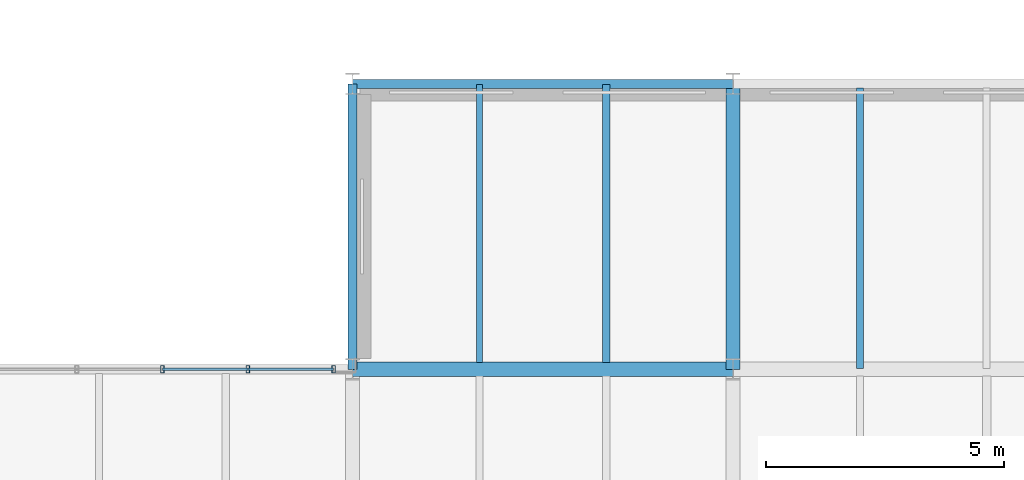
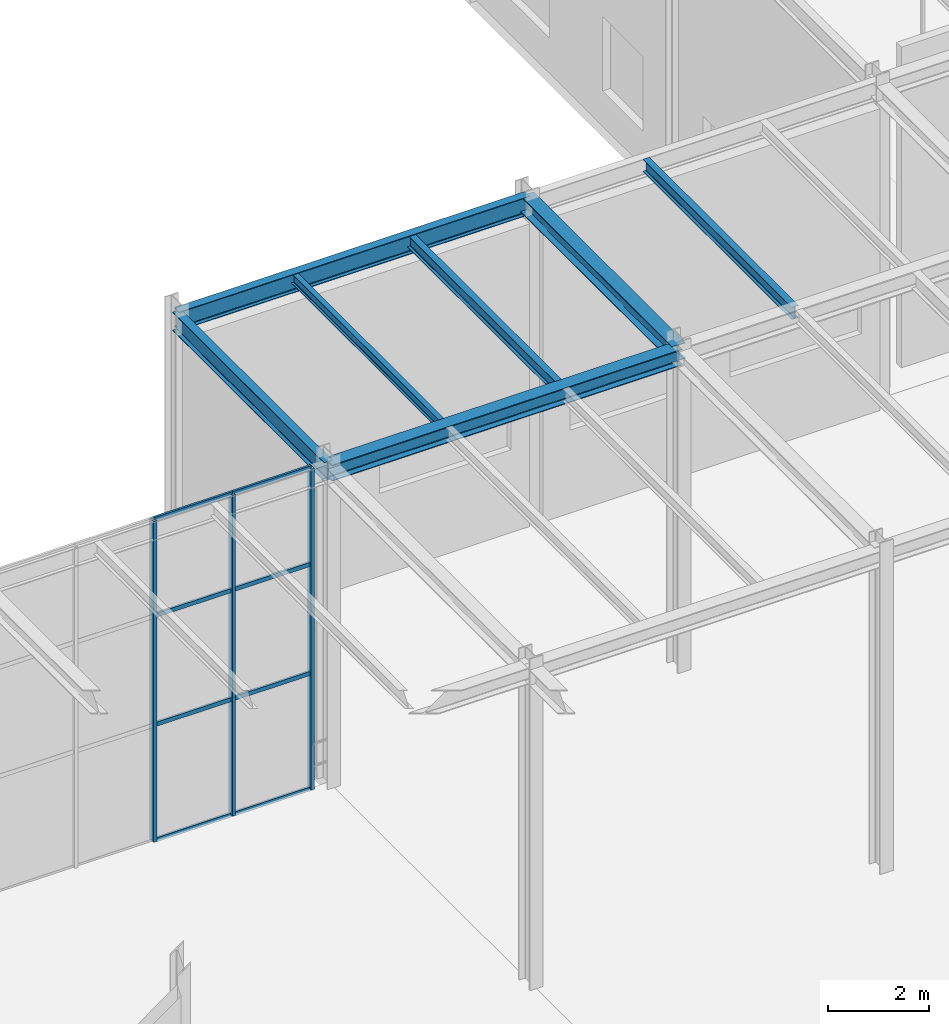
# One storey, part 54 of 138: 11 members, 7 beams, 1 element without a shape of its own.
"""IFC4 building model written with IfcOpenShell, lengths in metres."""

from ifc_helpers import new_model, si_unit, direction, frame, origin, origin_2d, place, context, subcontext, project, spatial, hollow_rectangle, i_section, extrude, material, material_profile, profile_set, type_object, element, aggregate, save


model = new_model("IFC4")

# Units and contexts
model_context = context("Model", 3, precision=1e-05, world=origin(), true_north=direction((0.0, 1.0)))
body_context = subcontext(model_context, "Body", "Model", "MODEL_VIEW")
ifc_project = project(units=[si_unit("LENGTHUNIT", "METRE"), si_unit("AREAUNIT", "SQUARE_METRE"), si_unit("VOLUMEUNIT", "CUBIC_METRE"), si_unit("PLANEANGLEUNIT", "RADIAN"), si_unit("MASSUNIT", "GRAM", prefix="KILO")], contexts=[model_context])

# Site, building, storey
site_placement = place(None, origin())
site = spatial("IfcSite", under=ifc_project, at=site_placement, CompositionType="ELEMENT")
building_placement = place(site_placement, origin())
building = spatial("IfcBuilding", under=site, at=building_placement, Name="Sundkrona Museum", CompositionType="ELEMENT")
storey_placement = place(building_placement, frame((0.0, 0.0, 9.60009765625)))
storey = spatial("IfcBuildingStorey", under=building, at=storey_placement, Name="L02", CompositionType="ELEMENT", Elevation=9.60009765625)

# Beams
ifc_material_1 = material(Name="Steel S355J2", Category="steel")
ifc_material_profile_1 = material_profile(ifc_material_1, i_section(OverallWidth=0.300048828125, OverallDepth=0.389892578125, WebThickness=0.010986328125, FlangeThickness=0.01904296875, FilletRadius=0.027099609375, at=origin_2d()), Name="HEA 400")
ifc_profile_set_1 = profile_set([ifc_material_profile_1], Name="Steel S355J2")
beam_type_1 = type_object("IfcBeamType", Name="B-HEA400", PredefinedType="BEAM", material=ifc_profile_set_1)
beam_1_placement = place(storey_placement, frame((120.0, 40.0, 7.544921875), z_axis=(1.0, 0.0, 0.0), x_axis=(0.0, 1.0, 0.0)))
element("IfcBeam", 1, at=beam_1_placement, inside=storey, type_object=beam_type_1, Name="L02 Girder X-1169", PredefinedType="BEAM", context=body_context, shape_type="SweptSolid", body=[
    extrude(i_section(OverallWidth=0.300048828125, OverallDepth=0.389892578125, WebThickness=0.010986328125, FlangeThickness=0.01904296875, FilletRadius=0.027099609375, at=origin_2d()), origin(), (0.0, 0.0, 1.0), 8.0),
])
beam_2_placement = place(storey_placement, frame((128.0, 40.0, 7.56494140625), z_axis=(0.0, 1.0, 0.0), x_axis=(-1.0, 0.0, 0.0)))
element("IfcBeam", 2, at=beam_2_placement, inside=storey, type_object=beam_type_1, Name="L02 Girder Y-1341", PredefinedType="BEAM", context=body_context, shape_type="SweptSolid", body=[
    extrude(i_section(OverallWidth=0.300048828125, OverallDepth=0.389892578125, WebThickness=0.010986328125, FlangeThickness=0.01904296875, FilletRadius=0.027099609375, at=origin_2d()), origin(), (0.0, 0.0, 1.0), 6.0),
])
ifc_material_profile_2 = material_profile(ifc_material_1, i_section(OverallWidth=0.1201171875, OverallDepth=0.239990234375, WebThickness=0.006103515625, FlangeThickness=0.009765625, FilletRadius=0.014892578125, at=origin_2d()), Name="IPE 240")
ifc_profile_set_2 = profile_set([ifc_material_profile_2], Name="Steel S355J2")
beam_type_2 = type_object("IfcBeamType", Name="J-IPE240", PredefinedType="JOIST", material=ifc_profile_set_2)
beam_3_placement = place(storey_placement, frame((122.666748046875, 40.14404296875, 7.619873046875), z_axis=(0.0, 1.0, 0.0), x_axis=(-1.0, 0.0, 0.0)))
element("IfcBeam", 3, at=beam_3_placement, inside=storey, type_object=beam_type_2, Name="L02 Composite Joist 0865", PredefinedType="JOIST", context=body_context, shape_type="SweptSolid", body=[
    extrude(i_section(OverallWidth=0.1201171875, OverallDepth=0.239990234375, WebThickness=0.006103515625, FlangeThickness=0.009765625, FilletRadius=0.014892578125, at=origin_2d()), origin(), (0.0, 0.0, 1.0), 5.841064453125),
])
ifc_material_profile_3 = material_profile(ifc_material_1, i_section(OverallWidth=0.14990234375, OverallDepth=0.300048828125, WebThickness=0.007080078125, FlangeThickness=0.0107421875, FilletRadius=0.014892578125, at=origin_2d()), Name="IPE 300")
ifc_profile_set_3 = profile_set([ifc_material_profile_3], Name="Steel S355J2")
beam_type_3 = type_object("IfcBeamType", Name="J-IPE300", PredefinedType="JOIST", material=ifc_profile_set_3)
beam_4_placement = place(storey_placement, frame((125.333251953125, 40.14404296875, 7.58984375), z_axis=(0.0, 1.0, 0.0), x_axis=(-1.0, 0.0, 0.0)))
element("IfcBeam", 4, at=beam_4_placement, inside=storey, type_object=beam_type_3, Name="L02 Composite Joist 0866", PredefinedType="JOIST", context=body_context, shape_type="SweptSolid", body=[
    extrude(i_section(OverallWidth=0.14990234375, OverallDepth=0.300048828125, WebThickness=0.007080078125, FlangeThickness=0.0107421875, FilletRadius=0.014892578125, at=origin_2d()), origin(), (0.0, 0.0, 1.0), 5.841064453125),
])
beam_5_placement = place(storey_placement, frame((130.666748046875, 40.014892578125, 7.58984375), z_axis=(0.0, 1.0, 0.0), x_axis=(-1.0, 0.0, 0.0)))
element("IfcBeam", 5, at=beam_5_placement, inside=storey, type_object=beam_type_3, Name="L02 Composite Joist 0871", PredefinedType="JOIST", context=body_context, shape_type="SweptSolid", body=[
    extrude(i_section(OverallWidth=0.14990234375, OverallDepth=0.300048828125, WebThickness=0.007080078125, FlangeThickness=0.0107421875, FilletRadius=0.014892578125, at=origin_2d()), origin(), (0.0, 0.0, 1.0), 5.89599609375),
])

# Curtain wall, members
ifc_material_2 = material(Name="Unitised Aluminium-Steel and Ceramic-Clad Curtain Walling", Category="steel")
curtain_wall_type = type_object("IfcCurtainWallType", Name="CW-AT-72x74", PredefinedType="NOTDEFINED", material=ifc_material_2)
curtain_wall_placement = place(storey_placement, origin())
curtain_wall = element("IfcCurtainWall", 6, at=curtain_wall_placement, inside=storey, type_object=curtain_wall_type, Name="L02 Curtain Wall CW-L02-057", PredefinedType="NOTDEFINED")
ifc_material_3 = material(Name="Aluminium EN AW-6060 T66", Category="aluminium")
ifc_material_profile_4 = material_profile(ifc_material_3, hollow_rectangle(XDim=0.074951171875, YDim=0.14990234375, WallThickness=0.00634765625, at=origin_2d()), Name="RHS 150x75x6.3")
ifc_profile_set_4 = profile_set([ifc_material_profile_4], Name="Aluminium EN AW-6060 T66")
member_type_1 = type_object("IfcMemberType", Name="ML-150", PredefinedType="MULLION", material=ifc_profile_set_4)
member_1_placement = place(storey_placement, frame((116.0, 40.0, -0.004150390625), z_axis=(0.0, 0.0, 1.0), x_axis=(1.0, 0.0, 0.0)))
member_1 = element("IfcMember", 7, at=member_1_placement, type_object=member_type_1, Name="CW-L02-057 Mullion 03", PredefinedType="MULLION", context=body_context, shape_type="SweptSolid", body=[
    extrude(hollow_rectangle(XDim=0.074951171875, YDim=0.14990234375, WallThickness=0.00634765625, at=origin_2d()), origin(), (0.0, 0.0, 1.0), 7.748046875),
])
member_2_placement = place(storey_placement, frame((117.800048828125, 40.0, -0.004150390625), z_axis=(0.0, 0.0, 1.0), x_axis=(1.0, 0.0, 0.0)))
member_2 = element("IfcMember", 8, at=member_2_placement, type_object=member_type_1, Name="CW-L02-057 Mullion 04", PredefinedType="MULLION", context=body_context, shape_type="SweptSolid", body=[
    extrude(hollow_rectangle(XDim=0.074951171875, YDim=0.14990234375, WallThickness=0.00634765625, at=origin_2d()), origin(), (0.0, 0.0, 1.0), 7.748046875),
])
member_3_placement = place(storey_placement, frame((119.60009765625, 40.0, -0.004150390625), z_axis=(0.0, 0.0, 1.0), x_axis=(1.0, 0.0, 0.0)))
member_3 = element("IfcMember", 9, at=member_3_placement, type_object=member_type_1, Name="CW-L02-057 Mullion 05", PredefinedType="MULLION", context=body_context, shape_type="SweptSolid", body=[
    extrude(hollow_rectangle(XDim=0.074951171875, YDim=0.14990234375, WallThickness=0.00634765625, at=origin_2d()), origin(), (0.0, 0.0, 1.0), 7.748046875),
])

# Beams
ifc_material_profile_5 = material_profile(ifc_material_1, i_section(OverallWidth=0.18994140625, OverallDepth=0.449951171875, WebThickness=0.009521484375, FlangeThickness=0.0146484375, FilletRadius=0.02099609375, at=origin_2d()), Name="IPE 450")
ifc_profile_set_5 = profile_set([ifc_material_profile_5], Name="Steel S355J2")
beam_type_4 = type_object("IfcBeamType", Name="SP-IPE450", PredefinedType="SPANDREL", material=ifc_profile_set_5)
beam_6_placement = place(storey_placement, frame((120.0, 46.0, 7.534912109375), z_axis=(1.0, 0.0, 0.0), x_axis=(0.0, 1.0, 0.0)))
element("IfcBeam", 10, at=beam_6_placement, inside=storey, type_object=beam_type_4, Name="L02 Girder X-1176", PredefinedType="SPANDREL", context=body_context, shape_type="SweptSolid", body=[
    extrude(i_section(OverallWidth=0.18994140625, OverallDepth=0.449951171875, WebThickness=0.009521484375, FlangeThickness=0.0146484375, FilletRadius=0.02099609375, at=origin_2d()), origin(), (0.0, 0.0, 1.0), 8.0),
])
beam_7_placement = place(storey_placement, frame((120.0, 40.0, 7.514892578125), z_axis=(0.0, 1.0, 0.0), x_axis=(-1.0, 0.0, 0.0)))
element("IfcBeam", 11, at=beam_7_placement, inside=storey, type_object=beam_type_4, Name="L02 Girder Y-1337", PredefinedType="SPANDREL", context=body_context, shape_type="SweptSolid", body=[
    extrude(i_section(OverallWidth=0.18994140625, OverallDepth=0.449951171875, WebThickness=0.009521484375, FlangeThickness=0.0146484375, FilletRadius=0.02099609375, at=origin_2d()), origin(), (0.0, 0.0, 1.0), 6.0),
])

# Member
ifc_material_profile_6 = material_profile(ifc_material_3, hollow_rectangle(XDim=0.050048828125, YDim=0.10009765625, WallThickness=0.0048828125, at=origin_2d()), Name="RHS 100x50x5.0")
ifc_profile_set_6 = profile_set([ifc_material_profile_6], Name="Aluminium EN AW-6060 T66")
member_type_2 = type_object("IfcMemberType", Name="TR-100", PredefinedType="USERDEFINED", material=ifc_profile_set_6)
member_4_placement = place(storey_placement, frame((116.0, 40.0, -0.004150390625), z_axis=(1.0, 0.0, 0.0), x_axis=(0.0, 1.0, 0.0)))
member_4 = element("IfcMember", 12, at=member_4_placement, type_object=member_type_2, Name="CW-L02-057 Transom 09", ObjectType="TRANSOM", PredefinedType="USERDEFINED", context=body_context, shape_type="SweptSolid", body=[
    extrude(hollow_rectangle(XDim=0.050048828125, YDim=0.10009765625, WallThickness=0.0048828125, at=origin_2d()), origin(), (0.0, 0.0, 1.0), 1.800048828125),
])

member_5_placement = place(storey_placement, frame((116.0, 40.0, 2.785888671875), z_axis=(1.0, 0.0, 0.0), x_axis=(0.0, 1.0, 0.0)))
member_5 = element("IfcMember", 13, at=member_5_placement, type_object=member_type_2, Name="CW-L02-057 Transom 10", ObjectType="TRANSOM", PredefinedType="USERDEFINED", context=body_context, shape_type="SweptSolid", body=[
    extrude(hollow_rectangle(XDim=0.050048828125, YDim=0.10009765625, WallThickness=0.0048828125, at=origin_2d()), origin(), (0.0, 0.0, 1.0), 1.800048828125),
])

member_6_placement = place(storey_placement, frame((116.0, 40.0, 5.41796875), z_axis=(1.0, 0.0, 0.0), x_axis=(0.0, 1.0, 0.0)))
member_6 = element("IfcMember", 14, at=member_6_placement, type_object=member_type_2, Name="CW-L02-057 Transom 11", ObjectType="TRANSOM", PredefinedType="USERDEFINED", context=body_context, shape_type="SweptSolid", body=[
    extrude(hollow_rectangle(XDim=0.050048828125, YDim=0.10009765625, WallThickness=0.0048828125, at=origin_2d()), origin(), (0.0, 0.0, 1.0), 1.800048828125),
])

member_7_placement = place(storey_placement, frame((116.0, 40.0, 7.743896484375), z_axis=(1.0, 0.0, 0.0), x_axis=(0.0, 1.0, 0.0)))
member_7 = element("IfcMember", 15, at=member_7_placement, type_object=member_type_2, Name="CW-L02-057 Transom 12", ObjectType="TRANSOM", PredefinedType="USERDEFINED", context=body_context, shape_type="SweptSolid", body=[
    extrude(hollow_rectangle(XDim=0.050048828125, YDim=0.10009765625, WallThickness=0.0048828125, at=origin_2d()), origin(), (0.0, 0.0, 1.0), 1.800048828125),
])

member_8_placement = place(storey_placement, frame((117.800048828125, 40.0, -0.004150390625), z_axis=(1.0, 0.0, 0.0), x_axis=(0.0, 1.0, 0.0)))
member_8 = element("IfcMember", 16, at=member_8_placement, type_object=member_type_2, Name="CW-L02-057 Transom 13", ObjectType="TRANSOM", PredefinedType="USERDEFINED", context=body_context, shape_type="SweptSolid", body=[
    extrude(hollow_rectangle(XDim=0.050048828125, YDim=0.10009765625, WallThickness=0.0048828125, at=origin_2d()), origin(), (0.0, 0.0, 1.0), 1.800048828125),
])

member_9_placement = place(storey_placement, frame((117.800048828125, 40.0, 2.785888671875), z_axis=(1.0, 0.0, 0.0), x_axis=(0.0, 1.0, 0.0)))
member_9 = element("IfcMember", 17, at=member_9_placement, type_object=member_type_2, Name="CW-L02-057 Transom 14", ObjectType="TRANSOM", PredefinedType="USERDEFINED", context=body_context, shape_type="SweptSolid", body=[
    extrude(hollow_rectangle(XDim=0.050048828125, YDim=0.10009765625, WallThickness=0.0048828125, at=origin_2d()), origin(), (0.0, 0.0, 1.0), 1.800048828125),
])

member_10_placement = place(storey_placement, frame((117.800048828125, 40.0, 5.41796875), z_axis=(1.0, 0.0, 0.0), x_axis=(0.0, 1.0, 0.0)))
member_10 = element("IfcMember", 18, at=member_10_placement, type_object=member_type_2, Name="CW-L02-057 Transom 15", ObjectType="TRANSOM", PredefinedType="USERDEFINED", context=body_context, shape_type="SweptSolid", body=[
    extrude(hollow_rectangle(XDim=0.050048828125, YDim=0.10009765625, WallThickness=0.0048828125, at=origin_2d()), origin(), (0.0, 0.0, 1.0), 1.800048828125),
])

member_11_placement = place(storey_placement, frame((117.800048828125, 40.0, 7.743896484375), z_axis=(1.0, 0.0, 0.0), x_axis=(0.0, 1.0, 0.0)))
member_11 = element("IfcMember", 19, at=member_11_placement, type_object=member_type_2, Name="CW-L02-057 Transom 16", ObjectType="TRANSOM", PredefinedType="USERDEFINED", context=body_context, shape_type="SweptSolid", body=[
    extrude(hollow_rectangle(XDim=0.050048828125, YDim=0.10009765625, WallThickness=0.0048828125, at=origin_2d()), origin(), (0.0, 0.0, 1.0), 1.800048828125),
])

aggregate(curtain_wall, [member_1, member_2, member_3, member_4, member_5, member_6, member_7, member_8, member_9, member_10, member_11])

save(model, "model.ifc")
